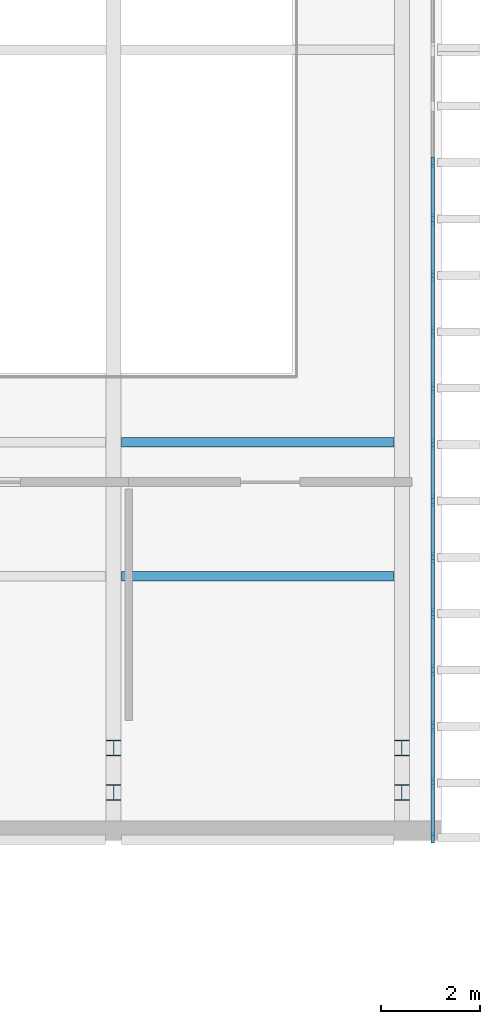
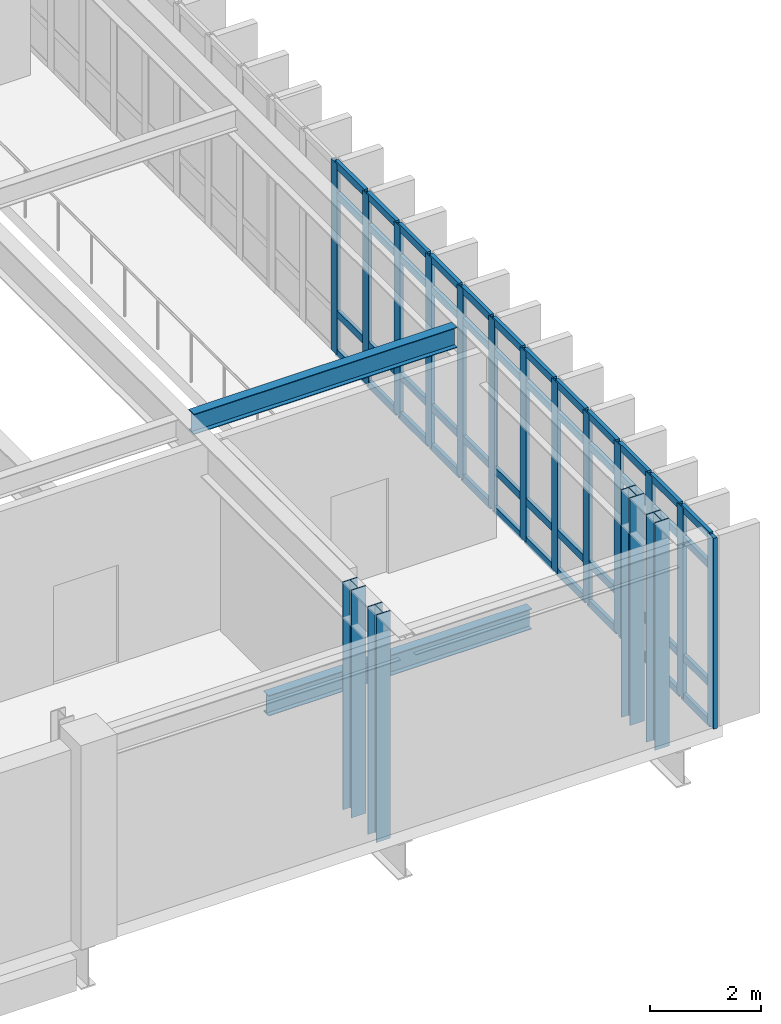
# One storey, part 5 of 23: 65 members, 2 beams, 1 element without a shape of its own.
"""IFC4 building model written with IfcOpenShell, lengths in metres."""

from ifc_helpers import new_model, si_unit, direction, frame, origin, origin_2d, place, context, subcontext, project, spatial, rectangle, i_section, extrude, material, layer, layer_set, material_profile, profile_set, type_object, element, aggregate, save


model = new_model("IFC4")

# Units and contexts
model_context = context("Model", 3, precision=1e-05, world=origin(), true_north=direction((0.0, 1.0)))
body_context = subcontext(model_context, "Body", "Model", "MODEL_VIEW")
ifc_project = project(units=[si_unit("LENGTHUNIT", "METRE"), si_unit("AREAUNIT", "SQUARE_METRE"), si_unit("VOLUMEUNIT", "CUBIC_METRE"), si_unit("PLANEANGLEUNIT", "RADIAN"), si_unit("MASSUNIT", "GRAM", prefix="KILO")], contexts=[model_context])

# Site, building, storey
site_placement = place(None, origin())
site = spatial("IfcSite", under=ifc_project, at=site_placement, CompositionType="ELEMENT")
building_placement = place(site_placement, origin())
building = spatial("IfcBuilding", under=site, at=building_placement, Name="Kelarvand Opera House", CompositionType="ELEMENT")
storey_placement = place(building_placement, frame((0.0, 0.0, 19.5)))
storey = spatial("IfcBuildingStorey", under=building, at=storey_placement, Name="L04", CompositionType="ELEMENT", Elevation=19.5)

# Curtain wall, members
ifc_material_1 = material(Name="Thermally broken aluminium and low-E glazing", Category="aluminium")
ifc_layer = layer(ifc_material_1, 0.219970703125, Name="Thermally broken aluminium and low-E glazing", Category="aluminium")
ifc_layer_set = layer_set([ifc_layer], Name="Thermally broken aluminium and low-E glazing")
curtain_wall_type = type_object("IfcCurtainWallType", Name="Unitised Low-E Curtain Wall 15886x4200 Mod 1150 CWF-07", PredefinedType="USERDEFINED", material=ifc_layer_set)
curtain_wall_placement = place(storey_placement, origin())
curtain_wall = element("IfcCurtainWall", 1, at=curtain_wall_placement, inside=storey, type_object=curtain_wall_type, Name="V1 L04 Curtain Wall CWF-07 (26)", ObjectType="UNITISED CURTAIN WALL", PredefinedType="USERDEFINED")
ifc_material_2 = material(Name="Thermally broken anodised aluminium", Category="aluminium")
ifc_material_profile_1 = material_profile(ifc_material_2, rectangle(XDim=0.074951171875, YDim=0.219970703125, at=origin_2d()), Name="ALU MULLION 75x220", Category="aluminium")
ifc_profile_set_1 = profile_set([ifc_material_profile_1], Name="Thermally broken anodised aluminium")
member_type_1 = type_object("IfcMemberType", Name="Curtain Wall Mullion 75x220 Heavy Plaza", PredefinedType="MULLION", material=ifc_profile_set_1)
member_1_placement = place(storey_placement, frame((154.820068359375, 60.22998046875, 0.0), z_axis=(0.0, 0.0, 1.0), x_axis=(1.0, 0.0, 0.0)))
member_1 = element("IfcMember", 2, at=member_1_placement, type_object=member_type_1, Name="CWF-07 mullion 3", PredefinedType="MULLION", context=body_context, shape_type="SweptSolid", body=[
    extrude(rectangle(XDim=0.074951171875, YDim=0.219970703125, at=origin_2d()), origin(), (0.0, 0.0, 1.0), 4.199951171875),
])
member_2_placement = place(storey_placement, frame((154.820068359375, 59.094970703125, 0.0), z_axis=(0.0, 0.0, 1.0), x_axis=(1.0, 0.0, 0.0)))
member_2 = element("IfcMember", 3, at=member_2_placement, type_object=member_type_1, Name="CWF-07 mullion 4", PredefinedType="MULLION", context=body_context, shape_type="SweptSolid", body=[
    extrude(rectangle(XDim=0.074951171875, YDim=0.219970703125, at=origin_2d()), origin(), (0.0, 0.0, 1.0), 4.199951171875),
])
member_3_placement = place(storey_placement, frame((154.820068359375, 57.9599609375, 0.0), z_axis=(0.0, 0.0, 1.0), x_axis=(1.0, 0.0, 0.0)))
member_3 = element("IfcMember", 4, at=member_3_placement, type_object=member_type_1, Name="CWF-07 mullion 5", PredefinedType="MULLION", context=body_context, shape_type="SweptSolid", body=[
    extrude(rectangle(XDim=0.074951171875, YDim=0.219970703125, at=origin_2d()), origin(), (0.0, 0.0, 1.0), 4.199951171875),
])
member_4_placement = place(storey_placement, frame((154.820068359375, 56.824951171875, 0.0), z_axis=(0.0, 0.0, 1.0), x_axis=(1.0, 0.0, 0.0)))
member_4 = element("IfcMember", 5, at=member_4_placement, type_object=member_type_1, Name="CWF-07 mullion 6", PredefinedType="MULLION", context=body_context, shape_type="SweptSolid", body=[
    extrude(rectangle(XDim=0.074951171875, YDim=0.219970703125, at=origin_2d()), origin(), (0.0, 0.0, 1.0), 4.199951171875),
])
member_5_placement = place(storey_placement, frame((154.820068359375, 55.68994140625, 0.0), z_axis=(0.0, 0.0, 1.0), x_axis=(1.0, 0.0, 0.0)))
member_5 = element("IfcMember", 6, at=member_5_placement, type_object=member_type_1, Name="CWF-07 mullion 7", PredefinedType="MULLION", context=body_context, shape_type="SweptSolid", body=[
    extrude(rectangle(XDim=0.074951171875, YDim=0.219970703125, at=origin_2d()), origin(), (0.0, 0.0, 1.0), 4.199951171875),
])
member_6_placement = place(storey_placement, frame((154.820068359375, 54.554931640625, 0.0), z_axis=(0.0, 0.0, 1.0), x_axis=(1.0, 0.0, 0.0)))
member_6 = element("IfcMember", 7, at=member_6_placement, type_object=member_type_1, Name="CWF-07 mullion 8", PredefinedType="MULLION", context=body_context, shape_type="SweptSolid", body=[
    extrude(rectangle(XDim=0.074951171875, YDim=0.219970703125, at=origin_2d()), origin(), (0.0, 0.0, 1.0), 4.199951171875),
])
member_7_placement = place(storey_placement, frame((154.820068359375, 53.419921875, 0.0), z_axis=(0.0, 0.0, 1.0), x_axis=(1.0, 0.0, 0.0)))
member_7 = element("IfcMember", 8, at=member_7_placement, type_object=member_type_1, Name="CWF-07 mullion 9", PredefinedType="MULLION", context=body_context, shape_type="SweptSolid", body=[
    extrude(rectangle(XDim=0.074951171875, YDim=0.219970703125, at=origin_2d()), origin(), (0.0, 0.0, 1.0), 4.199951171875),
])
member_8_placement = place(storey_placement, frame((154.820068359375, 52.284912109375, 0.0), z_axis=(0.0, 0.0, 1.0), x_axis=(1.0, 0.0, 0.0)))
member_8 = element("IfcMember", 9, at=member_8_placement, type_object=member_type_1, Name="CWF-07 mullion 10", PredefinedType="MULLION", context=body_context, shape_type="SweptSolid", body=[
    extrude(rectangle(XDim=0.074951171875, YDim=0.219970703125, at=origin_2d()), origin(), (0.0, 0.0, 1.0), 4.199951171875),
])
member_9_placement = place(storey_placement, frame((154.820068359375, 51.14990234375, 0.0), z_axis=(0.0, 0.0, 1.0), x_axis=(1.0, 0.0, 0.0)))
member_9 = element("IfcMember", 10, at=member_9_placement, type_object=member_type_1, Name="CWF-07 mullion 11", PredefinedType="MULLION", context=body_context, shape_type="SweptSolid", body=[
    extrude(rectangle(XDim=0.074951171875, YDim=0.219970703125, at=origin_2d()), origin(), (0.0, 0.0, 1.0), 4.199951171875),
])
member_10_placement = place(storey_placement, frame((154.820068359375, 50.014892578125, 0.0), z_axis=(0.0, 0.0, 1.0), x_axis=(1.0, 0.0, 0.0)))
member_10 = element("IfcMember", 11, at=member_10_placement, type_object=member_type_1, Name="CWF-07 mullion 12", PredefinedType="MULLION", context=body_context, shape_type="SweptSolid", body=[
    extrude(rectangle(XDim=0.074951171875, YDim=0.219970703125, at=origin_2d()), origin(), (0.0, 0.0, 1.0), 4.199951171875),
])
member_11_placement = place(storey_placement, frame((154.820068359375, 48.8798828125, 0.0), z_axis=(0.0, 0.0, 1.0), x_axis=(1.0, 0.0, 0.0)))
member_11 = element("IfcMember", 12, at=member_11_placement, type_object=member_type_1, Name="CWF-07 mullion 13", PredefinedType="MULLION", context=body_context, shape_type="SweptSolid", body=[
    extrude(rectangle(XDim=0.074951171875, YDim=0.219970703125, at=origin_2d()), origin(), (0.0, 0.0, 1.0), 4.199951171875),
])
member_12_placement = place(storey_placement, frame((154.820068359375, 47.7451171875, 0.0), z_axis=(0.0, 0.0, 1.0), x_axis=(1.0, 0.0, 0.0)))
member_12 = element("IfcMember", 13, at=member_12_placement, type_object=member_type_1, Name="CWF-07 mullion 14", PredefinedType="MULLION", context=body_context, shape_type="SweptSolid", body=[
    extrude(rectangle(XDim=0.074951171875, YDim=0.219970703125, at=origin_2d()), origin(), (0.0, 0.0, 1.0), 4.199951171875),
])
member_13_placement = place(storey_placement, frame((154.820068359375, 46.6474609375, 0.0), z_axis=(0.0, 0.0, 1.0), x_axis=(1.0, 0.0, 0.0)))
member_13 = element("IfcMember", 14, at=member_13_placement, type_object=member_type_1, Name="CWF-07 mullion 15", PredefinedType="MULLION", context=body_context, shape_type="SweptSolid", body=[
    extrude(rectangle(XDim=0.074951171875, YDim=0.219970703125, at=origin_2d()), origin(), (0.0, 0.0, 1.0), 4.199951171875),
])
ifc_material_profile_2 = material_profile(ifc_material_2, rectangle(XDim=0.074951171875, YDim=0.159912109375, at=origin_2d()), Name="ALU TRANSOM 75x160", Category="aluminium")
ifc_profile_set_2 = profile_set([ifc_material_profile_2], Name="Thermally broken anodised aluminium")
member_type_2 = type_object("IfcMemberType", Name="Curtain Wall Transom 75x160 Heavy Plaza", PredefinedType="USERDEFINED", material=ifc_profile_set_2)
member_14_placement = place(storey_placement, frame((154.820068359375, 60.1923828125, 0.03759765625), z_axis=(0.0, -1.0, 0.0), x_axis=(1.0, 0.0, 0.0)))
member_14 = element("IfcMember", 15, at=member_14_placement, type_object=member_type_2, Name="CWF-07 transom 3.1", ObjectType="TRANSOM", PredefinedType="USERDEFINED", context=body_context, shape_type="SweptSolid", body=[
    extrude(rectangle(XDim=0.074951171875, YDim=0.159912109375, at=origin_2d()), origin(), (0.0, 0.0, 1.0), 1.059814453125),
])
member_15_placement = place(storey_placement, frame((154.820068359375, 60.1923828125, 0.89990234375), z_axis=(0.0, -1.0, 0.0), x_axis=(1.0, 0.0, 0.0)))
member_15 = element("IfcMember", 16, at=member_15_placement, type_object=member_type_2, Name="CWF-07 transom 3.2", ObjectType="TRANSOM", PredefinedType="USERDEFINED", context=body_context, shape_type="SweptSolid", body=[
    extrude(rectangle(XDim=0.074951171875, YDim=0.159912109375, at=origin_2d()), origin(), (0.0, 0.0, 1.0), 1.059814453125),
])
member_16_placement = place(storey_placement, frame((154.820068359375, 60.1923828125, 3.5), z_axis=(0.0, -1.0, 0.0), x_axis=(1.0, 0.0, 0.0)))
member_16 = element("IfcMember", 17, at=member_16_placement, type_object=member_type_2, Name="CWF-07 transom 3.3", ObjectType="TRANSOM", PredefinedType="USERDEFINED", context=body_context, shape_type="SweptSolid", body=[
    extrude(rectangle(XDim=0.074951171875, YDim=0.159912109375, at=origin_2d()), origin(), (0.0, 0.0, 1.0), 1.059814453125),
])
member_17_placement = place(storey_placement, frame((154.820068359375, 60.1923828125, 4.16259765625), z_axis=(0.0, -1.0, 0.0), x_axis=(1.0, 0.0, 0.0)))
member_17 = element("IfcMember", 18, at=member_17_placement, type_object=member_type_2, Name="CWF-07 transom 3.4", ObjectType="TRANSOM", PredefinedType="USERDEFINED", context=body_context, shape_type="SweptSolid", body=[
    extrude(rectangle(XDim=0.074951171875, YDim=0.159912109375, at=origin_2d()), origin(), (0.0, 0.0, 1.0), 1.059814453125),
])
member_18_placement = place(storey_placement, frame((154.820068359375, 59.0576171875, 0.03759765625), z_axis=(0.0, -1.0, 0.0), x_axis=(1.0, 0.0, 0.0)))
member_18 = element("IfcMember", 19, at=member_18_placement, type_object=member_type_2, Name="CWF-07 transom 4.1", ObjectType="TRANSOM", PredefinedType="USERDEFINED", context=body_context, shape_type="SweptSolid", body=[
    extrude(rectangle(XDim=0.074951171875, YDim=0.159912109375, at=origin_2d()), origin(), (0.0, 0.0, 1.0), 1.06005859375),
])
member_19_placement = place(storey_placement, frame((154.820068359375, 59.0576171875, 0.89990234375), z_axis=(0.0, -1.0, 0.0), x_axis=(1.0, 0.0, 0.0)))
member_19 = element("IfcMember", 20, at=member_19_placement, type_object=member_type_2, Name="CWF-07 transom 4.2", ObjectType="TRANSOM", PredefinedType="USERDEFINED", context=body_context, shape_type="SweptSolid", body=[
    extrude(rectangle(XDim=0.074951171875, YDim=0.159912109375, at=origin_2d()), origin(), (0.0, 0.0, 1.0), 1.06005859375),
])
member_20_placement = place(storey_placement, frame((154.820068359375, 59.0576171875, 3.5), z_axis=(0.0, -1.0, 0.0), x_axis=(1.0, 0.0, 0.0)))
member_20 = element("IfcMember", 21, at=member_20_placement, type_object=member_type_2, Name="CWF-07 transom 4.3", ObjectType="TRANSOM", PredefinedType="USERDEFINED", context=body_context, shape_type="SweptSolid", body=[
    extrude(rectangle(XDim=0.074951171875, YDim=0.159912109375, at=origin_2d()), origin(), (0.0, 0.0, 1.0), 1.06005859375),
])
member_21_placement = place(storey_placement, frame((154.820068359375, 59.0576171875, 4.16259765625), z_axis=(0.0, -1.0, 0.0), x_axis=(1.0, 0.0, 0.0)))
member_21 = element("IfcMember", 22, at=member_21_placement, type_object=member_type_2, Name="CWF-07 transom 4.4", ObjectType="TRANSOM", PredefinedType="USERDEFINED", context=body_context, shape_type="SweptSolid", body=[
    extrude(rectangle(XDim=0.074951171875, YDim=0.159912109375, at=origin_2d()), origin(), (0.0, 0.0, 1.0), 1.06005859375),
])
member_22_placement = place(storey_placement, frame((154.820068359375, 57.922607421875, 0.03759765625), z_axis=(0.0, -1.0, 0.0), x_axis=(1.0, 0.0, 0.0)))
member_22 = element("IfcMember", 23, at=member_22_placement, type_object=member_type_2, Name="CWF-07 transom 5.1", ObjectType="TRANSOM", PredefinedType="USERDEFINED", context=body_context, shape_type="SweptSolid", body=[
    extrude(rectangle(XDim=0.074951171875, YDim=0.159912109375, at=origin_2d()), origin(), (0.0, 0.0, 1.0), 1.06005859375),
])
member_23_placement = place(storey_placement, frame((154.820068359375, 57.922607421875, 0.89990234375), z_axis=(0.0, -1.0, 0.0), x_axis=(1.0, 0.0, 0.0)))
member_23 = element("IfcMember", 24, at=member_23_placement, type_object=member_type_2, Name="CWF-07 transom 5.2", ObjectType="TRANSOM", PredefinedType="USERDEFINED", context=body_context, shape_type="SweptSolid", body=[
    extrude(rectangle(XDim=0.074951171875, YDim=0.159912109375, at=origin_2d()), origin(), (0.0, 0.0, 1.0), 1.06005859375),
])
member_24_placement = place(storey_placement, frame((154.820068359375, 57.922607421875, 3.5), z_axis=(0.0, -1.0, 0.0), x_axis=(1.0, 0.0, 0.0)))
member_24 = element("IfcMember", 25, at=member_24_placement, type_object=member_type_2, Name="CWF-07 transom 5.3", ObjectType="TRANSOM", PredefinedType="USERDEFINED", context=body_context, shape_type="SweptSolid", body=[
    extrude(rectangle(XDim=0.074951171875, YDim=0.159912109375, at=origin_2d()), origin(), (0.0, 0.0, 1.0), 1.06005859375),
])
member_25_placement = place(storey_placement, frame((154.820068359375, 57.922607421875, 4.16259765625), z_axis=(0.0, -1.0, 0.0), x_axis=(1.0, 0.0, 0.0)))
member_25 = element("IfcMember", 26, at=member_25_placement, type_object=member_type_2, Name="CWF-07 transom 5.4", ObjectType="TRANSOM", PredefinedType="USERDEFINED", context=body_context, shape_type="SweptSolid", body=[
    extrude(rectangle(XDim=0.074951171875, YDim=0.159912109375, at=origin_2d()), origin(), (0.0, 0.0, 1.0), 1.06005859375),
])
member_26_placement = place(storey_placement, frame((154.820068359375, 56.78759765625, 0.03759765625), z_axis=(0.0, -1.0, 0.0), x_axis=(1.0, 0.0, 0.0)))
member_26 = element("IfcMember", 27, at=member_26_placement, type_object=member_type_2, Name="CWF-07 transom 6.1", ObjectType="TRANSOM", PredefinedType="USERDEFINED", context=body_context, shape_type="SweptSolid", body=[
    extrude(rectangle(XDim=0.074951171875, YDim=0.159912109375, at=origin_2d()), origin(), (0.0, 0.0, 1.0), 1.06005859375),
])
member_27_placement = place(storey_placement, frame((154.820068359375, 56.78759765625, 0.89990234375), z_axis=(0.0, -1.0, 0.0), x_axis=(1.0, 0.0, 0.0)))
member_27 = element("IfcMember", 28, at=member_27_placement, type_object=member_type_2, Name="CWF-07 transom 6.2", ObjectType="TRANSOM", PredefinedType="USERDEFINED", context=body_context, shape_type="SweptSolid", body=[
    extrude(rectangle(XDim=0.074951171875, YDim=0.159912109375, at=origin_2d()), origin(), (0.0, 0.0, 1.0), 1.06005859375),
])
member_28_placement = place(storey_placement, frame((154.820068359375, 56.78759765625, 3.5), z_axis=(0.0, -1.0, 0.0), x_axis=(1.0, 0.0, 0.0)))
member_28 = element("IfcMember", 29, at=member_28_placement, type_object=member_type_2, Name="CWF-07 transom 6.3", ObjectType="TRANSOM", PredefinedType="USERDEFINED", context=body_context, shape_type="SweptSolid", body=[
    extrude(rectangle(XDim=0.074951171875, YDim=0.159912109375, at=origin_2d()), origin(), (0.0, 0.0, 1.0), 1.06005859375),
])
member_29_placement = place(storey_placement, frame((154.820068359375, 56.78759765625, 4.16259765625), z_axis=(0.0, -1.0, 0.0), x_axis=(1.0, 0.0, 0.0)))
member_29 = element("IfcMember", 30, at=member_29_placement, type_object=member_type_2, Name="CWF-07 transom 6.4", ObjectType="TRANSOM", PredefinedType="USERDEFINED", context=body_context, shape_type="SweptSolid", body=[
    extrude(rectangle(XDim=0.074951171875, YDim=0.159912109375, at=origin_2d()), origin(), (0.0, 0.0, 1.0), 1.06005859375),
])
member_30_placement = place(storey_placement, frame((154.820068359375, 55.652587890625, 0.03759765625), z_axis=(0.0, -1.0, 0.0), x_axis=(1.0, 0.0, 0.0)))
member_30 = element("IfcMember", 31, at=member_30_placement, type_object=member_type_2, Name="CWF-07 transom 7.1", ObjectType="TRANSOM", PredefinedType="USERDEFINED", context=body_context, shape_type="SweptSolid", body=[
    extrude(rectangle(XDim=0.074951171875, YDim=0.159912109375, at=origin_2d()), origin(), (0.0, 0.0, 1.0), 1.06005859375),
])
member_31_placement = place(storey_placement, frame((154.820068359375, 55.652587890625, 0.89990234375), z_axis=(0.0, -1.0, 0.0), x_axis=(1.0, 0.0, 0.0)))
member_31 = element("IfcMember", 32, at=member_31_placement, type_object=member_type_2, Name="CWF-07 transom 7.2", ObjectType="TRANSOM", PredefinedType="USERDEFINED", context=body_context, shape_type="SweptSolid", body=[
    extrude(rectangle(XDim=0.074951171875, YDim=0.159912109375, at=origin_2d()), origin(), (0.0, 0.0, 1.0), 1.06005859375),
])
member_32_placement = place(storey_placement, frame((154.820068359375, 55.652587890625, 3.5), z_axis=(0.0, -1.0, 0.0), x_axis=(1.0, 0.0, 0.0)))
member_32 = element("IfcMember", 33, at=member_32_placement, type_object=member_type_2, Name="CWF-07 transom 7.3", ObjectType="TRANSOM", PredefinedType="USERDEFINED", context=body_context, shape_type="SweptSolid", body=[
    extrude(rectangle(XDim=0.074951171875, YDim=0.159912109375, at=origin_2d()), origin(), (0.0, 0.0, 1.0), 1.06005859375),
])
member_33_placement = place(storey_placement, frame((154.820068359375, 55.652587890625, 4.16259765625), z_axis=(0.0, -1.0, 0.0), x_axis=(1.0, 0.0, 0.0)))
member_33 = element("IfcMember", 34, at=member_33_placement, type_object=member_type_2, Name="CWF-07 transom 7.4", ObjectType="TRANSOM", PredefinedType="USERDEFINED", context=body_context, shape_type="SweptSolid", body=[
    extrude(rectangle(XDim=0.074951171875, YDim=0.159912109375, at=origin_2d()), origin(), (0.0, 0.0, 1.0), 1.06005859375),
])
member_34_placement = place(storey_placement, frame((154.820068359375, 54.517578125, 0.03759765625), z_axis=(0.0, -1.0, 0.0), x_axis=(1.0, 0.0, 0.0)))
member_34 = element("IfcMember", 35, at=member_34_placement, type_object=member_type_2, Name="CWF-07 transom 8.1", ObjectType="TRANSOM", PredefinedType="USERDEFINED", context=body_context, shape_type="SweptSolid", body=[
    extrude(rectangle(XDim=0.074951171875, YDim=0.159912109375, at=origin_2d()), origin(), (0.0, 0.0, 1.0), 1.06005859375),
])
member_35_placement = place(storey_placement, frame((154.820068359375, 54.517578125, 0.89990234375), z_axis=(0.0, -1.0, 0.0), x_axis=(1.0, 0.0, 0.0)))
member_35 = element("IfcMember", 36, at=member_35_placement, type_object=member_type_2, Name="CWF-07 transom 8.2", ObjectType="TRANSOM", PredefinedType="USERDEFINED", context=body_context, shape_type="SweptSolid", body=[
    extrude(rectangle(XDim=0.074951171875, YDim=0.159912109375, at=origin_2d()), origin(), (0.0, 0.0, 1.0), 1.06005859375),
])
member_36_placement = place(storey_placement, frame((154.820068359375, 54.517578125, 3.5), z_axis=(0.0, -1.0, 0.0), x_axis=(1.0, 0.0, 0.0)))
member_36 = element("IfcMember", 37, at=member_36_placement, type_object=member_type_2, Name="CWF-07 transom 8.3", ObjectType="TRANSOM", PredefinedType="USERDEFINED", context=body_context, shape_type="SweptSolid", body=[
    extrude(rectangle(XDim=0.074951171875, YDim=0.159912109375, at=origin_2d()), origin(), (0.0, 0.0, 1.0), 1.06005859375),
])
member_37_placement = place(storey_placement, frame((154.820068359375, 54.517578125, 4.16259765625), z_axis=(0.0, -1.0, 0.0), x_axis=(1.0, 0.0, 0.0)))
member_37 = element("IfcMember", 38, at=member_37_placement, type_object=member_type_2, Name="CWF-07 transom 8.4", ObjectType="TRANSOM", PredefinedType="USERDEFINED", context=body_context, shape_type="SweptSolid", body=[
    extrude(rectangle(XDim=0.074951171875, YDim=0.159912109375, at=origin_2d()), origin(), (0.0, 0.0, 1.0), 1.06005859375),
])
member_38_placement = place(storey_placement, frame((154.820068359375, 53.382568359375, 0.03759765625), z_axis=(0.0, -1.0, 0.0), x_axis=(1.0, 0.0, 0.0)))
member_38 = element("IfcMember", 39, at=member_38_placement, type_object=member_type_2, Name="CWF-07 transom 9.1", ObjectType="TRANSOM", PredefinedType="USERDEFINED", context=body_context, shape_type="SweptSolid", body=[
    extrude(rectangle(XDim=0.074951171875, YDim=0.159912109375, at=origin_2d()), origin(), (0.0, 0.0, 1.0), 1.06005859375),
])
member_39_placement = place(storey_placement, frame((154.820068359375, 53.382568359375, 0.89990234375), z_axis=(0.0, -1.0, 0.0), x_axis=(1.0, 0.0, 0.0)))
member_39 = element("IfcMember", 40, at=member_39_placement, type_object=member_type_2, Name="CWF-07 transom 9.2", ObjectType="TRANSOM", PredefinedType="USERDEFINED", context=body_context, shape_type="SweptSolid", body=[
    extrude(rectangle(XDim=0.074951171875, YDim=0.159912109375, at=origin_2d()), origin(), (0.0, 0.0, 1.0), 1.06005859375),
])
member_40_placement = place(storey_placement, frame((154.820068359375, 53.382568359375, 3.5), z_axis=(0.0, -1.0, 0.0), x_axis=(1.0, 0.0, 0.0)))
member_40 = element("IfcMember", 41, at=member_40_placement, type_object=member_type_2, Name="CWF-07 transom 9.3", ObjectType="TRANSOM", PredefinedType="USERDEFINED", context=body_context, shape_type="SweptSolid", body=[
    extrude(rectangle(XDim=0.074951171875, YDim=0.159912109375, at=origin_2d()), origin(), (0.0, 0.0, 1.0), 1.06005859375),
])
member_41_placement = place(storey_placement, frame((154.820068359375, 53.382568359375, 4.16259765625), z_axis=(0.0, -1.0, 0.0), x_axis=(1.0, 0.0, 0.0)))
member_41 = element("IfcMember", 42, at=member_41_placement, type_object=member_type_2, Name="CWF-07 transom 9.4", ObjectType="TRANSOM", PredefinedType="USERDEFINED", context=body_context, shape_type="SweptSolid", body=[
    extrude(rectangle(XDim=0.074951171875, YDim=0.159912109375, at=origin_2d()), origin(), (0.0, 0.0, 1.0), 1.06005859375),
])
member_42_placement = place(storey_placement, frame((154.820068359375, 52.24755859375, 0.03759765625), z_axis=(0.0, -1.0, 0.0), x_axis=(1.0, 0.0, 0.0)))
member_42 = element("IfcMember", 43, at=member_42_placement, type_object=member_type_2, Name="CWF-07 transom 10.1", ObjectType="TRANSOM", PredefinedType="USERDEFINED", context=body_context, shape_type="SweptSolid", body=[
    extrude(rectangle(XDim=0.074951171875, YDim=0.159912109375, at=origin_2d()), origin(), (0.0, 0.0, 1.0), 1.06005859375),
])
member_43_placement = place(storey_placement, frame((154.820068359375, 52.24755859375, 0.89990234375), z_axis=(0.0, -1.0, 0.0), x_axis=(1.0, 0.0, 0.0)))
member_43 = element("IfcMember", 44, at=member_43_placement, type_object=member_type_2, Name="CWF-07 transom 10.2", ObjectType="TRANSOM", PredefinedType="USERDEFINED", context=body_context, shape_type="SweptSolid", body=[
    extrude(rectangle(XDim=0.074951171875, YDim=0.159912109375, at=origin_2d()), origin(), (0.0, 0.0, 1.0), 1.06005859375),
])
member_44_placement = place(storey_placement, frame((154.820068359375, 52.24755859375, 3.5), z_axis=(0.0, -1.0, 0.0), x_axis=(1.0, 0.0, 0.0)))
member_44 = element("IfcMember", 45, at=member_44_placement, type_object=member_type_2, Name="CWF-07 transom 10.3", ObjectType="TRANSOM", PredefinedType="USERDEFINED", context=body_context, shape_type="SweptSolid", body=[
    extrude(rectangle(XDim=0.074951171875, YDim=0.159912109375, at=origin_2d()), origin(), (0.0, 0.0, 1.0), 1.06005859375),
])
member_45_placement = place(storey_placement, frame((154.820068359375, 52.24755859375, 4.16259765625), z_axis=(0.0, -1.0, 0.0), x_axis=(1.0, 0.0, 0.0)))
member_45 = element("IfcMember", 46, at=member_45_placement, type_object=member_type_2, Name="CWF-07 transom 10.4", ObjectType="TRANSOM", PredefinedType="USERDEFINED", context=body_context, shape_type="SweptSolid", body=[
    extrude(rectangle(XDim=0.074951171875, YDim=0.159912109375, at=origin_2d()), origin(), (0.0, 0.0, 1.0), 1.06005859375),
])
member_46_placement = place(storey_placement, frame((154.820068359375, 51.112548828125, 0.03759765625), z_axis=(0.0, -1.0, 0.0), x_axis=(1.0, 0.0, 0.0)))
member_46 = element("IfcMember", 47, at=member_46_placement, type_object=member_type_2, Name="CWF-07 transom 11.1", ObjectType="TRANSOM", PredefinedType="USERDEFINED", context=body_context, shape_type="SweptSolid", body=[
    extrude(rectangle(XDim=0.074951171875, YDim=0.159912109375, at=origin_2d()), origin(), (0.0, 0.0, 1.0), 1.06005859375),
])
member_47_placement = place(storey_placement, frame((154.820068359375, 51.112548828125, 0.89990234375), z_axis=(0.0, -1.0, 0.0), x_axis=(1.0, 0.0, 0.0)))
member_47 = element("IfcMember", 48, at=member_47_placement, type_object=member_type_2, Name="CWF-07 transom 11.2", ObjectType="TRANSOM", PredefinedType="USERDEFINED", context=body_context, shape_type="SweptSolid", body=[
    extrude(rectangle(XDim=0.074951171875, YDim=0.159912109375, at=origin_2d()), origin(), (0.0, 0.0, 1.0), 1.06005859375),
])
member_48_placement = place(storey_placement, frame((154.820068359375, 51.112548828125, 3.5), z_axis=(0.0, -1.0, 0.0), x_axis=(1.0, 0.0, 0.0)))
member_48 = element("IfcMember", 49, at=member_48_placement, type_object=member_type_2, Name="CWF-07 transom 11.3", ObjectType="TRANSOM", PredefinedType="USERDEFINED", context=body_context, shape_type="SweptSolid", body=[
    extrude(rectangle(XDim=0.074951171875, YDim=0.159912109375, at=origin_2d()), origin(), (0.0, 0.0, 1.0), 1.06005859375),
])
member_49_placement = place(storey_placement, frame((154.820068359375, 51.112548828125, 4.16259765625), z_axis=(0.0, -1.0, 0.0), x_axis=(1.0, 0.0, 0.0)))
member_49 = element("IfcMember", 50, at=member_49_placement, type_object=member_type_2, Name="CWF-07 transom 11.4", ObjectType="TRANSOM", PredefinedType="USERDEFINED", context=body_context, shape_type="SweptSolid", body=[
    extrude(rectangle(XDim=0.074951171875, YDim=0.159912109375, at=origin_2d()), origin(), (0.0, 0.0, 1.0), 1.06005859375),
])
member_50_placement = place(storey_placement, frame((154.820068359375, 49.9775390625, 0.03759765625), z_axis=(0.0, -1.0, 0.0), x_axis=(1.0, 0.0, 0.0)))
member_50 = element("IfcMember", 51, at=member_50_placement, type_object=member_type_2, Name="CWF-07 transom 12.1", ObjectType="TRANSOM", PredefinedType="USERDEFINED", context=body_context, shape_type="SweptSolid", body=[
    extrude(rectangle(XDim=0.074951171875, YDim=0.159912109375, at=origin_2d()), origin(), (0.0, 0.0, 1.0), 1.06005859375),
])
member_51_placement = place(storey_placement, frame((154.820068359375, 49.9775390625, 0.89990234375), z_axis=(0.0, -1.0, 0.0), x_axis=(1.0, 0.0, 0.0)))
member_51 = element("IfcMember", 52, at=member_51_placement, type_object=member_type_2, Name="CWF-07 transom 12.2", ObjectType="TRANSOM", PredefinedType="USERDEFINED", context=body_context, shape_type="SweptSolid", body=[
    extrude(rectangle(XDim=0.074951171875, YDim=0.159912109375, at=origin_2d()), origin(), (0.0, 0.0, 1.0), 1.06005859375),
])
member_52_placement = place(storey_placement, frame((154.820068359375, 49.9775390625, 3.5), z_axis=(0.0, -1.0, 0.0), x_axis=(1.0, 0.0, 0.0)))
member_52 = element("IfcMember", 53, at=member_52_placement, type_object=member_type_2, Name="CWF-07 transom 12.3", ObjectType="TRANSOM", PredefinedType="USERDEFINED", context=body_context, shape_type="SweptSolid", body=[
    extrude(rectangle(XDim=0.074951171875, YDim=0.159912109375, at=origin_2d()), origin(), (0.0, 0.0, 1.0), 1.06005859375),
])
member_53_placement = place(storey_placement, frame((154.820068359375, 49.9775390625, 4.16259765625), z_axis=(0.0, -1.0, 0.0), x_axis=(1.0, 0.0, 0.0)))
member_53 = element("IfcMember", 54, at=member_53_placement, type_object=member_type_2, Name="CWF-07 transom 12.4", ObjectType="TRANSOM", PredefinedType="USERDEFINED", context=body_context, shape_type="SweptSolid", body=[
    extrude(rectangle(XDim=0.074951171875, YDim=0.159912109375, at=origin_2d()), origin(), (0.0, 0.0, 1.0), 1.06005859375),
])
member_54_placement = place(storey_placement, frame((154.820068359375, 48.842529296875, 0.03759765625), z_axis=(0.0, -1.0, 0.0), x_axis=(1.0, 0.0, 0.0)))
member_54 = element("IfcMember", 55, at=member_54_placement, type_object=member_type_2, Name="CWF-07 transom 13.1", ObjectType="TRANSOM", PredefinedType="USERDEFINED", context=body_context, shape_type="SweptSolid", body=[
    extrude(rectangle(XDim=0.074951171875, YDim=0.159912109375, at=origin_2d()), origin(), (0.0, 0.0, 1.0), 1.06005859375),
])
member_55_placement = place(storey_placement, frame((154.820068359375, 48.842529296875, 0.89990234375), z_axis=(0.0, -1.0, 0.0), x_axis=(1.0, 0.0, 0.0)))
member_55 = element("IfcMember", 56, at=member_55_placement, type_object=member_type_2, Name="CWF-07 transom 13.2", ObjectType="TRANSOM", PredefinedType="USERDEFINED", context=body_context, shape_type="SweptSolid", body=[
    extrude(rectangle(XDim=0.074951171875, YDim=0.159912109375, at=origin_2d()), origin(), (0.0, 0.0, 1.0), 1.06005859375),
])
member_56_placement = place(storey_placement, frame((154.820068359375, 48.842529296875, 3.5), z_axis=(0.0, -1.0, 0.0), x_axis=(1.0, 0.0, 0.0)))
member_56 = element("IfcMember", 57, at=member_56_placement, type_object=member_type_2, Name="CWF-07 transom 13.3", ObjectType="TRANSOM", PredefinedType="USERDEFINED", context=body_context, shape_type="SweptSolid", body=[
    extrude(rectangle(XDim=0.074951171875, YDim=0.159912109375, at=origin_2d()), origin(), (0.0, 0.0, 1.0), 1.06005859375),
])
member_57_placement = place(storey_placement, frame((154.820068359375, 48.842529296875, 4.16259765625), z_axis=(0.0, -1.0, 0.0), x_axis=(1.0, 0.0, 0.0)))
member_57 = element("IfcMember", 58, at=member_57_placement, type_object=member_type_2, Name="CWF-07 transom 13.4", ObjectType="TRANSOM", PredefinedType="USERDEFINED", context=body_context, shape_type="SweptSolid", body=[
    extrude(rectangle(XDim=0.074951171875, YDim=0.159912109375, at=origin_2d()), origin(), (0.0, 0.0, 1.0), 1.06005859375),
])
member_58_placement = place(storey_placement, frame((154.820068359375, 47.70751953125, 0.03759765625), z_axis=(0.0, -1.0, 0.0), x_axis=(1.0, 0.0, 0.0)))
member_58 = element("IfcMember", 59, at=member_58_placement, type_object=member_type_2, Name="CWF-07 transom 14.1", ObjectType="TRANSOM", PredefinedType="USERDEFINED", context=body_context, shape_type="SweptSolid", body=[
    extrude(rectangle(XDim=0.074951171875, YDim=0.159912109375, at=origin_2d()), origin(), (0.0, 0.0, 1.0), 1.0224609375),
])
member_59_placement = place(storey_placement, frame((154.820068359375, 47.70751953125, 0.89990234375), z_axis=(0.0, -1.0, 0.0), x_axis=(1.0, 0.0, 0.0)))
member_59 = element("IfcMember", 60, at=member_59_placement, type_object=member_type_2, Name="CWF-07 transom 14.2", ObjectType="TRANSOM", PredefinedType="USERDEFINED", context=body_context, shape_type="SweptSolid", body=[
    extrude(rectangle(XDim=0.074951171875, YDim=0.159912109375, at=origin_2d()), origin(), (0.0, 0.0, 1.0), 1.0224609375),
])
member_60_placement = place(storey_placement, frame((154.820068359375, 47.70751953125, 3.5), z_axis=(0.0, -1.0, 0.0), x_axis=(1.0, 0.0, 0.0)))
member_60 = element("IfcMember", 61, at=member_60_placement, type_object=member_type_2, Name="CWF-07 transom 14.3", ObjectType="TRANSOM", PredefinedType="USERDEFINED", context=body_context, shape_type="SweptSolid", body=[
    extrude(rectangle(XDim=0.074951171875, YDim=0.159912109375, at=origin_2d()), origin(), (0.0, 0.0, 1.0), 1.0224609375),
])
member_61_placement = place(storey_placement, frame((154.820068359375, 47.70751953125, 4.16259765625), z_axis=(0.0, -1.0, 0.0), x_axis=(1.0, 0.0, 0.0)))
member_61 = element("IfcMember", 62, at=member_61_placement, type_object=member_type_2, Name="CWF-07 transom 14.4", ObjectType="TRANSOM", PredefinedType="USERDEFINED", context=body_context, shape_type="SweptSolid", body=[
    extrude(rectangle(XDim=0.074951171875, YDim=0.159912109375, at=origin_2d()), origin(), (0.0, 0.0, 1.0), 1.0224609375),
])
aggregate(curtain_wall, [member_1, member_2, member_3, member_4, member_5, member_6, member_7, member_8, member_9, member_10, member_11, member_12, member_13, member_14, member_15, member_16, member_17, member_18, member_19, member_20, member_21, member_22, member_23, member_24, member_25, member_26, member_27, member_28, member_29, member_30, member_31, member_32, member_33, member_34, member_35, member_36, member_37, member_38, member_39, member_40, member_41, member_42, member_43, member_44, member_45, member_46, member_47, member_48, member_49, member_50, member_51, member_52, member_53, member_54, member_55, member_56, member_57, member_58, member_59, member_60, member_61])

# Beams
ifc_material_3 = material(Name="Steel S355", Category="steel")
ifc_material_profile_3 = material_profile(ifc_material_3, i_section(OverallWidth=0.18994140625, OverallDepth=0.449951171875, WebThickness=0.009521484375, FlangeThickness=0.0146484375, at=origin_2d()), Name="IPE 450", Category="steel")
ifc_profile_set_3 = profile_set([ifc_material_profile_3], Name="Steel S355")
beam_type = type_object("IfcBeamType", Name="Structural Joist IPE 450 JS-IPE450", PredefinedType="JOIST", material=ifc_profile_set_3)
for number, where, z_axis, x_axis, name in (
    (63, (148.56005859375, 51.89990234375, -0.5048828125), (1.0, 0.0, 0.0), (0.0, 1.0, 0.0), "V1 L04 Beam JS-IPE450"),
    (64, (148.56005859375, 54.60009765625, 4.054931640625), (1.0, 0.0, 0.0), (0.0, 1.0, 0.0), "V1 L04 Beam JS-IPE450"),
):
    element("IfcBeam", number, at=place(storey_placement, frame(where, z_axis=z_axis, x_axis=x_axis)), inside=storey, type_object=beam_type, Name=name, PredefinedType="JOIST", context=body_context, shape_type="SweptSolid", body=[
        extrude(i_section(OverallWidth=0.18994140625, OverallDepth=0.449951171875, WebThickness=0.009521484375, FlangeThickness=0.0146484375, at=origin_2d()), origin(), (0.0, 0.0, 1.0), 5.47998046875),
    ])

# Members
ifc_material_profile_4 = material_profile(ifc_material_3, i_section(OverallWidth=0.300048828125, OverallDepth=0.320068359375, WebThickness=0.011474609375, FlangeThickness=0.0205078125, at=origin_2d()), Name="HEB 320", Category="steel")
ifc_profile_set_4 = profile_set([ifc_material_profile_4], Name="Steel S355")
member_type_3 = type_object("IfcMemberType", Name="Structural Post HEB 320 PS-HEB320", PredefinedType="POST", material=ifc_profile_set_4)
for number, where, z_axis, x_axis, name in (
    (65, (148.39990234375, 47.550048828125, -0.72998046875), (0.0, 0.0, 1.0), (1.0, 0.0, 0.0), "Cantilever Box Roof Support Post X=148.4 Y=47.55"),
    (66, (148.39990234375, 48.449951171875, -0.72998046875), (0.0, 0.0, 1.0), (1.0, 0.0, 0.0), "Cantilever Box Roof Support Post X=148.4 Y=48.45"),
    (67, (154.199951171875, 47.550048828125, -0.72998046875), (0.0, 0.0, 1.0), (1.0, 0.0, 0.0), "Cantilever Box Roof Support Post X=154.2 Y=47.55"),
    (68, (154.199951171875, 48.449951171875, -0.72998046875), (0.0, 0.0, 1.0), (1.0, 0.0, 0.0), "Cantilever Box Roof Support Post X=154.2 Y=48.45"),
):
    element("IfcMember", number, at=place(storey_placement, frame(where, z_axis=z_axis, x_axis=x_axis)), inside=storey, type_object=member_type_3, Name=name, PredefinedType="POST", context=body_context, shape_type="SweptSolid", body=[
        extrude(i_section(OverallWidth=0.300048828125, OverallDepth=0.320068359375, WebThickness=0.011474609375, FlangeThickness=0.0205078125, at=origin_2d()), origin(), (0.0, 0.0, 1.0), 5.010009765625),
    ])

save(model, "model.ifc")
